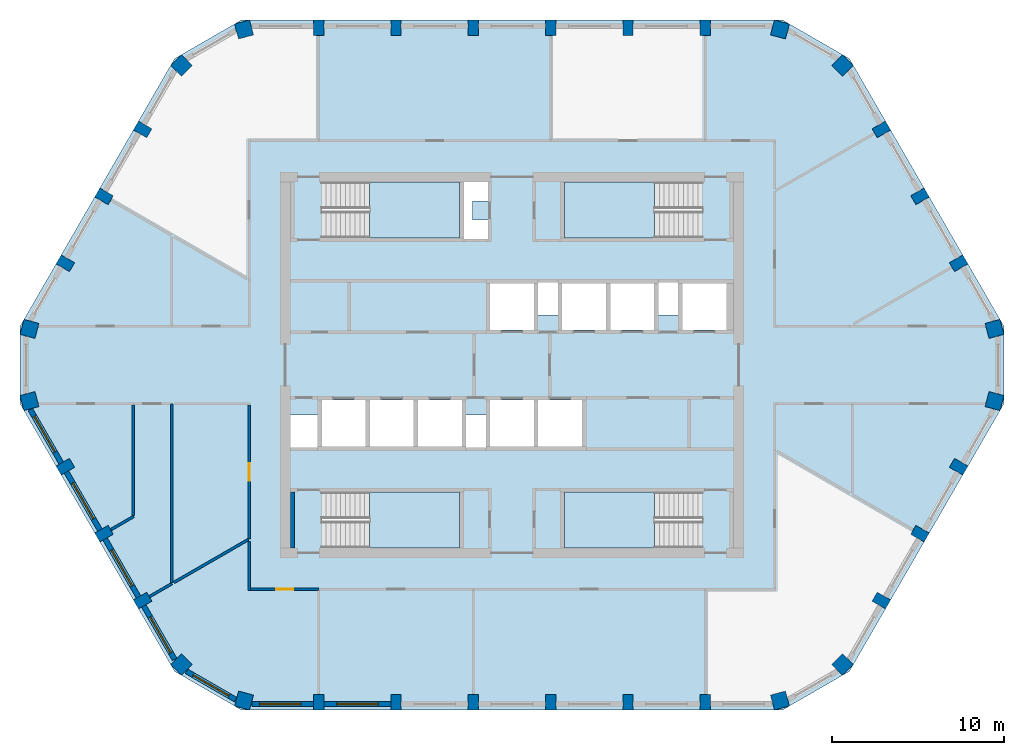
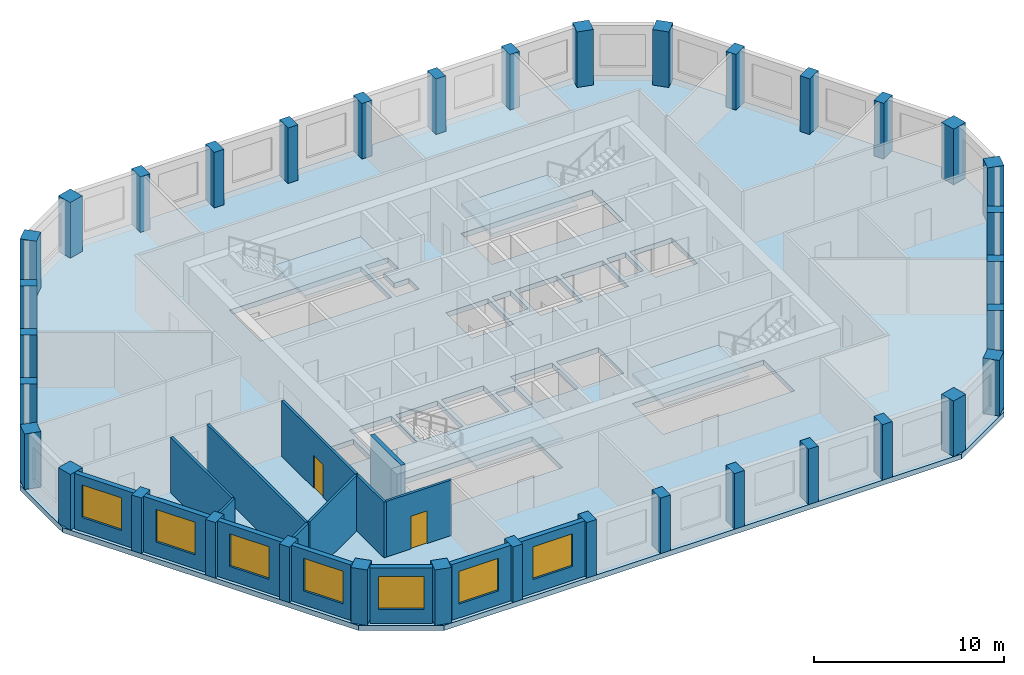
# One storey, part 1 of 10: 36 columns, 16 walls, 7 windows, 5 slabs, 2 doors, 9 openings, 4 elements without a shape of their own.
"""IFC4 building model written with IfcOpenShell, lengths in metres."""

from ifc_helpers import new_model, si_unit, direction, frame, frame_2d, origin, origin_2d, place, context, subcontext, project, spatial, polyline, rectangle, outline, extrude, material, layer, layer_set, material_profile, profile_set, type_object, element, fill, aggregate, save


model = new_model("IFC4")

# Units and contexts
model_context = context("Model", 3, precision=1e-05, world=origin(), true_north=direction((0.0, 1.0)))
body_context = subcontext(model_context, "Body", "Model", "MODEL_VIEW")
ifc_project = project(units=[si_unit("LENGTHUNIT", "METRE"), si_unit("AREAUNIT", "SQUARE_METRE"), si_unit("VOLUMEUNIT", "CUBIC_METRE"), si_unit("PLANEANGLEUNIT", "RADIAN"), si_unit("MASSUNIT", "GRAM", prefix="KILO")], contexts=[model_context])

# Site, building, storey
site_placement = place(None, origin())
site = spatial("IfcSite", under=ifc_project, at=site_placement, CompositionType="ELEMENT")
building_placement = place(site_placement, origin())
building = spatial("IfcBuilding", under=site, at=building_placement, Name="Dhurran Vertical Campus", CompositionType="ELEMENT")
storey_placement = place(building_placement, frame((0.0, 0.0, 302.10009765625)))
storey = spatial("IfcBuildingStorey", under=building, at=storey_placement, Name="L75", CompositionType="ELEMENT", Elevation=302.10009765625)

# Columns
ifc_material_1 = material(Name="Concrete C50/60", Category="concrete")
ifc_material_profile_1 = material_profile(ifc_material_1, rectangle(XDim=0.60009765625, YDim=0.89990234375, at=origin_2d()), Name="RC 600x900")
ifc_profile_set_1 = profile_set([ifc_material_profile_1], Name="Concrete C50/60")
column_type_1 = type_object("IfcColumnType", Name="FR COL RC 600x900 C50/60", PredefinedType="COLUMN", material=ifc_profile_set_1)
for number, where, z_axis, x_axis, name in (
    (1, (-11.25, -19.638427734375, 0.0), (0.0, 0.0, 1.0), (1.0, 0.0, 0.0), "Perimeter pier PP6.01"),
    (2, (-6.75, -19.638427734375, 0.0), (0.0, 0.0, 1.0), (1.0, 0.0, 0.0), "Perimeter pier PP6.02"),
    (3, (-2.25, -19.638427734375, 0.0), (0.0, 0.0, 1.0), (1.0, 0.0, 0.0), "Perimeter pier PP6.03"),
    (4, (2.25, -19.638427734375, 0.0), (0.0, 0.0, 1.0), (1.0, 0.0, 0.0), "Perimeter pier PP6.04"),
    (5, (6.75, -19.638427734375, 0.0), (0.0, 0.0, 1.0), (1.0, 0.0, 0.0), "Perimeter pier PP6.05"),
    (6, (11.25, -19.638427734375, 0.0), (0.0, 0.0, 1.0), (1.0, 0.0, 0.0), "Perimeter pier PP6.06"),
    (7, (21.50732421875, -13.71630859375, 0.0), (0.0, 0.0, 1.0), (0.5, 0.866025403784, 0.0), "Perimeter pier PP6.09"),
    (8, (23.75732421875, -9.819091796875, 0.0), (0.0, 0.0, 1.0), (0.5, 0.866025403784, 0.0), "Perimeter pier PP6.10"),
    (9, (26.00732421875, -5.922119140625, 0.0), (0.0, 0.0, 1.0), (0.5, 0.866025403784, 0.0), "Perimeter pier PP6.11"),
    (10, (26.00732421875, 5.922119140625, 0.0), (0.0, 0.0, 1.0), (-0.5, 0.866025403784, 0.0), "Perimeter pier PP6.14"),
    (11, (23.75732421875, 9.819091796875, 0.0), (0.0, 0.0, 1.0), (-0.5, 0.866025403784, 0.0), "Perimeter pier PP6.15"),
    (12, (21.50732421875, 13.71630859375, 0.0), (0.0, 0.0, 1.0), (-0.5, 0.866025403784, 0.0), "Perimeter pier PP6.16"),
    (13, (11.25, 19.638427734375, 0.0), (0.0, 0.0, 1.0), (-1.0, 0.0, 0.0), "Perimeter pier PP6.19"),
    (14, (6.75, 19.638427734375, 0.0), (0.0, 0.0, 1.0), (-1.0, 0.0, 0.0), "Perimeter pier PP6.20"),
    (15, (2.25, 19.638427734375, 0.0), (0.0, 0.0, 1.0), (-1.0, 0.0, 0.0), "Perimeter pier PP6.21"),
    (16, (-2.25, 19.638427734375, 0.0), (0.0, 0.0, 1.0), (-1.0, 0.0, 0.0), "Perimeter pier PP6.22"),
    (17, (-6.75, 19.638427734375, 0.0), (0.0, 0.0, 1.0), (-1.0, 0.0, 0.0), "Perimeter pier PP6.23"),
    (18, (-11.25, 19.638427734375, 0.0), (0.0, 0.0, 1.0), (-1.0, 0.0, 0.0), "Perimeter pier PP6.24"),
    (19, (-21.50732421875, 13.71630859375, 0.0), (0.0, 0.0, 1.0), (-0.5, -0.866025403784, 0.0), "Perimeter pier PP6.27"),
    (20, (-23.75732421875, 9.819091796875, 0.0), (0.0, 0.0, 1.0), (-0.5, -0.866025403784, 0.0), "Perimeter pier PP6.28"),
    (21, (-26.00732421875, 5.922119140625, 0.0), (0.0, 0.0, 1.0), (-0.5, -0.866025403784, 0.0), "Perimeter pier PP6.29"),
    (22, (-26.00732421875, -5.922119140625, 0.0), (0.0, 0.0, 1.0), (0.5, -0.866025403784, 0.0), "Perimeter pier PP6.32"),
    (23, (-23.75732421875, -9.819091796875, 0.0), (0.0, 0.0, 1.0), (0.5, -0.866025403784, 0.0), "Perimeter pier PP6.33"),
    (24, (-21.50732421875, -13.71630859375, 0.0), (0.0, 0.0, 1.0), (0.5, -0.866025403784, 0.0), "Perimeter pier PP6.34"),
):
    element("IfcColumn", number, at=place(storey_placement, frame(where, z_axis=z_axis, x_axis=x_axis)), inside=storey, type_object=column_type_1, Name=name, PredefinedType="COLUMN", context=body_context, shape_type="SweptSolid", body=[
        extrude(rectangle(XDim=0.60009765625, YDim=0.89990234375, at=origin_2d()), origin(), (0.0, 0.0, 1.0), 3.574951171875),
    ])
ifc_material_2 = material(Name="Concrete C50/60", Category="concrete")
ifc_material_profile_2 = material_profile(ifc_material_2, rectangle(XDim=0.89990234375, YDim=0.89990234375, at=origin_2d()), Name="RC 900x900")
ifc_profile_set_2 = profile_set([ifc_material_profile_2], Name="Concrete C50/60")
column_type_2 = type_object("IfcColumnType", Name="FR COL RC 900x900 C50/60", PredefinedType="COLUMN", material=ifc_profile_set_2)
for number, where, z_axis, x_axis, name in (
    (25, (-15.602294921875, -19.537353515625, 0.0), (0.0, 0.0, 1.0), (0.965925826289, -0.258819045103, 0.0), "Perimeter pier PP6.00"),
    (26, (15.602294921875, -19.537353515625, 0.0), (0.0, 0.0, 1.0), (0.965925826289, 0.258819045103, 0.0), "Perimeter pier PP6.07"),
    (27, (19.24365234375, -17.43505859375, 0.0), (0.0, 0.0, 1.0), (0.707106781187, 0.707106781187, 0.0), "Perimeter pier PP6.08"),
    (28, (28.095947265625, -2.102294921875, 0.0), (0.0, 0.0, 1.0), (0.258819045103, 0.965925826289, 0.0), "Perimeter pier PP6.12"),
    (29, (28.095947265625, 2.102294921875, 0.0), (0.0, 0.0, 1.0), (-0.258819045103, 0.965925826289, 0.0), "Perimeter pier PP6.13"),
    (30, (19.24365234375, 17.43505859375, 0.0), (0.0, 0.0, 1.0), (-0.707106781187, 0.707106781187, 0.0), "Perimeter pier PP6.17"),
    (31, (15.602294921875, 19.537353515625, 0.0), (0.0, 0.0, 1.0), (-0.965925826289, 0.258819045103, 0.0), "Perimeter pier PP6.18"),
    (32, (-15.602294921875, 19.537353515625, 0.0), (0.0, 0.0, 1.0), (-0.965925826289, -0.258819045103, 0.0), "Perimeter pier PP6.25"),
    (33, (-19.24365234375, 17.43505859375, 0.0), (0.0, 0.0, 1.0), (-0.707106781187, -0.707106781187, 0.0), "Perimeter pier PP6.26"),
    (34, (-28.095947265625, 2.102294921875, 0.0), (0.0, 0.0, 1.0), (-0.258819045103, -0.965925826289, 0.0), "Perimeter pier PP6.30"),
    (35, (-28.095947265625, -2.102294921875, 0.0), (0.0, 0.0, 1.0), (0.258819045103, -0.965925826289, 0.0), "Perimeter pier PP6.31"),
    (36, (-19.24365234375, -17.43505859375, 0.0), (0.0, 0.0, 1.0), (0.707106781187, -0.707106781187, 0.0), "Perimeter pier PP6.35"),
):
    element("IfcColumn", number, at=place(storey_placement, frame(where, z_axis=z_axis, x_axis=x_axis)), inside=storey, type_object=column_type_2, Name=name, PredefinedType="COLUMN", context=body_context, shape_type="SweptSolid", body=[
        extrude(rectangle(XDim=0.89990234375, YDim=0.89990234375, at=origin_2d()), origin(), (0.0, 0.0, 1.0), 3.574951171875),
    ])

# Slab
ifc_material_3 = material(Name="Concrete C40/50", Category="concrete")
ifc_layer_1 = layer(ifc_material_3, 0.324951171875)
ifc_layer_set_1 = layer_set([ifc_layer_1], Name="Concrete C40/50")
slab_type_1 = type_object("IfcSlabType", Name="FR POST-TENSIONED FLAT SLAB 325", PredefinedType="FLOOR", material=ifc_layer_set_1)
slab_1_placement = place(storey_placement, frame((0.0, 0.0, -0.3251953125)))
element("IfcSlab", 37, at=slab_1_placement, inside=storey, type_object=slab_type_1, Name="Floor slab L75", PredefinedType="FLOOR", context=body_context, shape_type="SweptSolid", body=[
    extrude(outline(polyline([(-15.75, -20.08837890625), (15.75, -20.08837890625), (19.647216796875, -17.83837890625), (28.647216796875, -2.25), (28.647216796875, 2.25), (19.647216796875, 17.83837890625), (15.75, 20.08837890625), (-15.75, 20.08837890625), (-19.647216796875, 17.83837890625), (-28.647216796875, 2.25), (-28.647216796875, -2.25), (-19.647216796875, -17.83837890625), (-15.75, -20.08837890625)]), holes=[polyline([(-1.27490234375, 2.050048828125), (1.27490234375, 2.050048828125), (1.27490234375, 4.75), (-1.27490234375, 4.75), (-1.27490234375, 2.050048828125)]), polyline([(9.925048828125, 2.050048828125), (12.47509765625, 2.050048828125), (12.47509765625, 4.75), (9.925048828125, 4.75), (9.925048828125, 2.050048828125)]), polyline([(-1.27490234375, -4.75), (1.27490234375, -4.75), (1.27490234375, -2.050048828125), (-1.27490234375, -2.050048828125), (-1.27490234375, -4.75)]), polyline([(1.52490234375, -4.75), (4.074951171875, -4.75), (4.074951171875, -2.050048828125), (1.52490234375, -2.050048828125), (1.52490234375, -4.75)]), polyline([(2.925048828125, 2.050048828125), (5.47509765625, 2.050048828125), (5.47509765625, 4.75), (2.925048828125, 4.75), (2.925048828125, 2.050048828125)]), polyline([(5.72509765625, 2.050048828125), (8.27490234375, 2.050048828125), (8.27490234375, 4.75), (5.72509765625, 4.75), (5.72509765625, 2.050048828125)]), polyline([(-11.074951171875, -4.75), (-8.52490234375, -4.75), (-8.52490234375, -2.050048828125), (-11.074951171875, -2.050048828125), (-11.074951171875, -4.75)]), polyline([(-8.27490234375, -4.75), (-5.72509765625, -4.75), (-5.72509765625, -2.050048828125), (-8.27490234375, -2.050048828125), (-8.27490234375, -4.75)]), polyline([(-5.47509765625, -4.75), (-2.925048828125, -4.75), (-2.925048828125, -2.050048828125), (-5.47509765625, -2.050048828125), (-5.47509765625, -4.75)]), polyline([(-11.050048828125, 7.39990234375), (-3.050048828125, 7.39990234375), (-3.050048828125, 10.64990234375), (-11.050048828125, 10.64990234375), (-11.050048828125, 7.39990234375)]), polyline([(3.050048828125, 7.39990234375), (11.050048828125, 7.39990234375), (11.050048828125, 10.64990234375), (3.050048828125, 10.64990234375), (3.050048828125, 7.39990234375)]), polyline([(-11.050048828125, -10.64990234375), (-3.050048828125, -10.64990234375), (-3.050048828125, -7.39990234375), (-11.050048828125, -7.39990234375), (-11.050048828125, -10.64990234375)]), polyline([(3.050048828125, -10.64990234375), (11.050048828125, -10.64990234375), (11.050048828125, -7.39990234375), (3.050048828125, -7.39990234375), (3.050048828125, -10.64990234375)]), polyline([(-2.800048828125, 10.64990234375), (-1.39990234375, 10.64990234375), (-1.39990234375, 9.550048828125), (-2.300048828125, 9.550048828125), (-2.300048828125, 8.449951171875), (-1.39990234375, 8.449951171875), (-1.39990234375, 7.35009765625), (-2.800048828125, 7.35009765625), (-2.800048828125, 10.64990234375)]), polyline([(2.675048828125, 2.89990234375), (1.52490234375, 2.89990234375), (1.52490234375, 4.800048828125), (2.675048828125, 4.800048828125), (2.675048828125, 2.89990234375)]), polyline([(-12.89990234375, -2.89990234375), (-11.324951171875, -2.89990234375), (-11.324951171875, -4.800048828125), (-12.89990234375, -4.800048828125), (-12.89990234375, -2.89990234375)]), polyline([(-2.675048828125, -2.89990234375), (-1.52490234375, -2.89990234375), (-1.52490234375, -4.800048828125), (-2.675048828125, -4.800048828125), (-2.675048828125, -2.89990234375)]), polyline([(9.675048828125, 2.89990234375), (8.52490234375, 2.89990234375), (8.52490234375, 4.800048828125), (9.675048828125, 4.800048828125), (9.675048828125, 2.89990234375)])]), origin(), (0.0, 0.0, 1.0), 0.3251953125),
])

# Stair, slab
ifc_material_4 = material(Name="Concrete C40/50", Category="concrete")
stair_type = type_object("IfcStairType", Name="co-ST-CORE", PredefinedType="HALF_TURN_STAIR", material=ifc_material_4)
stair_1_placement = place(storey_placement, origin())
stair_1 = element("IfcStair", 38, at=stair_1_placement, inside=storey, type_object=stair_type, Name="L75 Protected exit stair ST1", PredefinedType="HALF_TURN_STAIR")
ifc_material_5 = material(Name="Concrete C40/50", Category="concrete")
ifc_layer_2 = layer(ifc_material_5, 0.199951171875)
ifc_layer_set_2 = layer_set([ifc_layer_2], Name="Concrete C40/50")
slab_type_2 = type_object("IfcSlabType", Name="co-SL-LANDING", PredefinedType="LANDING", material=ifc_layer_set_2)
slab_2_placement = place(storey_placement, frame((0.0, 0.0, 1.75)))
slab_2 = element("IfcSlab", 39, at=slab_2_placement, type_object=slab_type_2, Name="ST1 landing 1", PredefinedType="LANDING", context=body_context, shape_type="SweptSolid", body=[
    extrude(outline(polyline([(-8.300048828125, 7.39990234375), (-3.050048828125, 7.39990234375), (-3.050048828125, 10.64990234375), (-8.300048828125, 10.64990234375), (-8.300048828125, 7.39990234375)])), origin(), (0.0, 0.0, 1.0), 0.199951171875),
])
aggregate(stair_1, [slab_2])

stair_2_placement = place(storey_placement, origin())
stair_2 = element("IfcStair", 40, at=stair_2_placement, inside=storey, type_object=stair_type, Name="L75 Protected exit stair ST2", PredefinedType="HALF_TURN_STAIR")
slab_3_placement = place(storey_placement, frame((0.0, 0.0, 1.75)))
slab_3 = element("IfcSlab", 41, at=slab_3_placement, type_object=slab_type_2, Name="ST2 landing 1", PredefinedType="LANDING", context=body_context, shape_type="SweptSolid", body=[
    extrude(outline(polyline([(8.300048828125, 10.64990234375), (3.050048828125, 10.64990234375), (3.050048828125, 7.39990234375), (8.300048828125, 7.39990234375), (8.300048828125, 10.64990234375)])), origin(), (0.0, 0.0, 1.0), 0.199951171875),
])
aggregate(stair_2, [slab_3])

stair_3_placement = place(storey_placement, origin())
stair_3 = element("IfcStair", 42, at=stair_3_placement, inside=storey, type_object=stair_type, Name="L75 Protected exit stair ST3", PredefinedType="HALF_TURN_STAIR")
slab_4_placement = place(storey_placement, frame((0.0, 0.0, 1.75)))
slab_4 = element("IfcSlab", 43, at=slab_4_placement, type_object=slab_type_2, Name="ST3 landing 1", PredefinedType="LANDING", context=body_context, shape_type="SweptSolid", body=[
    extrude(outline(polyline([(-8.300048828125, -10.64990234375), (-3.050048828125, -10.64990234375), (-3.050048828125, -7.39990234375), (-8.300048828125, -7.39990234375), (-8.300048828125, -10.64990234375)])), origin(), (0.0, 0.0, 1.0), 0.199951171875),
])
aggregate(stair_3, [slab_4])

stair_4_placement = place(storey_placement, origin())
stair_4 = element("IfcStair", 44, at=stair_4_placement, inside=storey, type_object=stair_type, Name="L75 Protected exit stair ST4", PredefinedType="HALF_TURN_STAIR")
slab_5_placement = place(storey_placement, frame((0.0, 0.0, 1.75)))
slab_5 = element("IfcSlab", 45, at=slab_5_placement, type_object=slab_type_2, Name="ST4 landing 1", PredefinedType="LANDING", context=body_context, shape_type="SweptSolid", body=[
    extrude(outline(polyline([(8.300048828125, -7.39990234375), (3.050048828125, -7.39990234375), (3.050048828125, -10.64990234375), (8.300048828125, -10.64990234375), (8.300048828125, -7.39990234375)])), origin(), (0.0, 0.0, 1.0), 0.199951171875),
])
aggregate(stair_4, [slab_5])

# Wall, opening, window
ifc_material_6 = material(Name="Precast concrete C50/60", Category="concrete")
ifc_layer_3 = layer(ifc_material_6, 0.300048828125)
ifc_layer_set_3 = layer_set([ifc_layer_3], Name="Precast concrete C50/60")
wall_type_1 = type_object("IfcWallType", Name="Precast spandrel wall 300", PredefinedType="SOLIDWALL", material=ifc_layer_set_3)
wall_1_placement = place(storey_placement, frame((-15.14990234375, -19.738525390625, 0.0), z_axis=(0.0, 0.0, 1.0), x_axis=(1.0, 0.0, 0.0)))
wall_1 = element("IfcWall", 46, at=wall_1_placement, inside=storey, type_object=wall_type_1, Name="EW1 L75.00", PredefinedType="SOLIDWALL", context=body_context, shape_type="SweptSolid", body=[
    extrude(rectangle(XDim=3.599365234375, YDim=0.300048828125, at=frame_2d((1.7998046875, 0.0))), origin(), (0.0, 0.0, 1.0), 3.574951171875),
])
opening_1_placement = place(wall_1_placement, frame((0.449951171875, 0.0, 0.89990234375)))
opening_1 = element("IfcOpeningElement", 47, at=opening_1_placement, cuts=wall_1, Name="Opening WT1", PredefinedType="OPENING", context=body_context, shape_type="SweptSolid", body=[
    extrude(rectangle(XDim=2.39990234375, YDim=2.10009765625, at=frame_2d((1.199951171875, 1.050048828125))), frame((0.0, 0.159912109375, 0.0), z_axis=(0.0, -1.0, 0.0), x_axis=(1.0, 0.0, 0.0)), (0.0, 0.0, 1.0), 0.320068359375),
])
ifc_material_7 = material(Name="Aluminium frame with solar-control glass", Category="aluminium")
window_type = type_object("IfcWindowType", Name="Punched window 2400 x 2100", PartitioningType="SINGLE_PANEL", PredefinedType="WINDOW", material=ifc_material_7)
window_1_placement = place(opening_1_placement, origin())
window_1 = element("IfcWindow", 48, at=window_1_placement, inside=storey, type_object=window_type, Name="WT1 L75.00", OverallHeight=2.10009765625, OverallWidth=2.39990234375, PartitioningType="SINGLE_PANEL", PredefinedType="WINDOW", context=body_context, shape_type="SweptSolid", body=[
    extrude(rectangle(XDim=2.39990234375, YDim=2.10009765625, at=frame_2d((1.199951171875, 1.050048828125))), frame((0.0, 0.030029296875, 0.0), z_axis=(0.0, -1.0, 0.0), x_axis=(1.0, 0.0, 0.0)), (0.0, 0.0, 1.0), 0.06005859375),
])
fill(opening_1, window_1)

wall_2_placement = place(storey_placement, frame((-10.949462890625, -19.738525390625, 0.0), z_axis=(0.0, 0.0, 1.0), x_axis=(1.0, 0.0, 0.0)))
wall_2 = element("IfcWall", 49, at=wall_2_placement, inside=storey, type_object=wall_type_1, Name="EW1 L75.01", PredefinedType="SOLIDWALL", context=body_context, shape_type="SweptSolid", body=[
    extrude(rectangle(XDim=3.89892578125, YDim=0.300048828125, at=frame_2d((1.949462890625, 0.0))), origin(), (0.0, 0.0, 1.0), 3.574951171875),
])
opening_2_placement = place(wall_2_placement, frame((0.74951171875, 0.0, 0.89990234375)))
opening_2 = element("IfcOpeningElement", 50, at=opening_2_placement, cuts=wall_2, Name="Opening WT1", PredefinedType="OPENING", context=body_context, shape_type="SweptSolid", body=[
    extrude(rectangle(XDim=2.39990234375, YDim=2.10009765625, at=frame_2d((1.199951171875, 1.050048828125))), frame((0.0, 0.159912109375, 0.0), z_axis=(0.0, -1.0, 0.0), x_axis=(1.0, 0.0, 0.0)), (0.0, 0.0, 1.0), 0.320068359375),
])
window_2_placement = place(opening_2_placement, origin())
window_2 = element("IfcWindow", 51, at=window_2_placement, inside=storey, type_object=window_type, Name="WT1 L75.01", OverallHeight=2.10009765625, OverallWidth=2.39990234375, PartitioningType="SINGLE_PANEL", PredefinedType="WINDOW", context=body_context, shape_type="SweptSolid", body=[
    extrude(rectangle(XDim=2.39990234375, YDim=2.10009765625, at=frame_2d((1.199951171875, 1.050048828125))), frame((0.0, 0.030029296875, 0.0), z_axis=(0.0, -1.0, 0.0), x_axis=(1.0, 0.0, 0.0)), (0.0, 0.0, 1.0), 0.06005859375),
])
fill(opening_2, window_2)

wall_3_placement = place(storey_placement, frame((-28.0439453125, -2.5947265625, 0.0), z_axis=(0.0, 0.0, 1.0), x_axis=(0.499969057507, -0.866043267704, 0.0)))
wall_3 = element("IfcWall", 52, at=wall_3_placement, inside=storey, type_object=wall_type_1, Name="EW1 L75.31", PredefinedType="SOLIDWALL", context=body_context, shape_type="SweptSolid", body=[
    extrude(rectangle(XDim=3.599365234375, YDim=0.300048828125, at=frame_2d((1.7998046875, 0.0))), origin(), (0.0, 0.0, 1.0), 3.574951171875),
])
opening_3_placement = place(wall_3_placement, frame((0.449951171875, 0.0, 0.89990234375)))
opening_3 = element("IfcOpeningElement", 53, at=opening_3_placement, cuts=wall_3, Name="Opening WT1", PredefinedType="OPENING", context=body_context, shape_type="SweptSolid", body=[
    extrude(rectangle(XDim=2.39990234375, YDim=2.10009765625, at=frame_2d((1.199951171875, 1.050048828125))), frame((0.0, 0.159912109375, 0.0), z_axis=(0.0, -1.0, 0.0), x_axis=(1.0, 0.0, 0.0)), (0.0, 0.0, 1.0), 0.320068359375),
])
window_3_placement = place(opening_3_placement, origin())
window_3 = element("IfcWindow", 54, at=window_3_placement, inside=storey, type_object=window_type, Name="WT1 L75.31", OverallHeight=2.10009765625, OverallWidth=2.39990234375, PartitioningType="SINGLE_PANEL", PredefinedType="WINDOW", context=body_context, shape_type="SweptSolid", body=[
    extrude(rectangle(XDim=2.39990234375, YDim=2.10009765625, at=frame_2d((1.199951171875, 1.050048828125))), frame((0.0, 0.030029296875, 0.0), z_axis=(0.0, -1.0, 0.0), x_axis=(1.0, 0.0, 0.0)), (0.0, 0.0, 1.0), 0.06005859375),
])
fill(opening_3, window_3)

wall_4_placement = place(storey_placement, frame((-25.94384765625, -6.232421875, 0.0), z_axis=(0.0, 0.0, 1.0), x_axis=(0.500011542666, -0.866018739521, 0.0)))
wall_4 = element("IfcWall", 55, at=wall_4_placement, inside=storey, type_object=wall_type_1, Name="EW1 L75.32", PredefinedType="SOLIDWALL", context=body_context, shape_type="SweptSolid", body=[
    extrude(rectangle(XDim=3.89892578125, YDim=0.300048828125, at=frame_2d((1.949462890625, 0.0))), origin(), (0.0, 0.0, 1.0), 3.574951171875),
])
opening_4_placement = place(wall_4_placement, frame((0.74951171875, 0.0, 0.89990234375)))
opening_4 = element("IfcOpeningElement", 56, at=opening_4_placement, cuts=wall_4, Name="Opening WT1", PredefinedType="OPENING", context=body_context, shape_type="SweptSolid", body=[
    extrude(rectangle(XDim=2.39990234375, YDim=2.10009765625, at=frame_2d((1.199951171875, 1.050048828125))), frame((0.0, 0.159912109375, 0.0), z_axis=(0.0, -1.0, 0.0), x_axis=(1.0, 0.0, 0.0)), (0.0, 0.0, 1.0), 0.320068359375),
])
window_4_placement = place(opening_4_placement, origin())
window_4 = element("IfcWindow", 57, at=window_4_placement, inside=storey, type_object=window_type, Name="WT1 L75.32", OverallHeight=2.10009765625, OverallWidth=2.39990234375, PartitioningType="SINGLE_PANEL", PredefinedType="WINDOW", context=body_context, shape_type="SweptSolid", body=[
    extrude(rectangle(XDim=2.39990234375, YDim=2.10009765625, at=frame_2d((1.199951171875, 1.050048828125))), frame((0.0, 0.030029296875, 0.0), z_axis=(0.0, -1.0, 0.0), x_axis=(1.0, 0.0, 0.0)), (0.0, 0.0, 1.0), 0.06005859375),
])
fill(opening_4, window_4)

wall_5_placement = place(storey_placement, frame((-23.69384765625, -10.12939453125, 0.0), z_axis=(0.0, 0.0, 1.0), x_axis=(0.499984428715, -0.866034393683, 0.0)))
wall_5 = element("IfcWall", 58, at=wall_5_placement, inside=storey, type_object=wall_type_1, Name="EW1 L75.33", PredefinedType="SOLIDWALL", context=body_context, shape_type="SweptSolid", body=[
    extrude(rectangle(XDim=3.89892578125, YDim=0.300048828125, at=frame_2d((1.949462890625, 0.0))), origin(), (0.0, 0.0, 1.0), 3.574951171875),
])
opening_5_placement = place(wall_5_placement, frame((0.74951171875, 0.0, 0.89990234375)))
opening_5 = element("IfcOpeningElement", 59, at=opening_5_placement, cuts=wall_5, Name="Opening WT1", PredefinedType="OPENING", context=body_context, shape_type="SweptSolid", body=[
    extrude(rectangle(XDim=2.39990234375, YDim=2.10009765625, at=frame_2d((1.199951171875, 1.050048828125))), frame((0.0, 0.159912109375, 0.0), z_axis=(0.0, -1.0, 0.0), x_axis=(1.0, 0.0, 0.0)), (0.0, 0.0, 1.0), 0.320068359375),
])
window_5_placement = place(opening_5_placement, origin())
window_5 = element("IfcWindow", 60, at=window_5_placement, inside=storey, type_object=window_type, Name="WT1 L75.33", OverallHeight=2.10009765625, OverallWidth=2.39990234375, PartitioningType="SINGLE_PANEL", PredefinedType="WINDOW", context=body_context, shape_type="SweptSolid", body=[
    extrude(rectangle(XDim=2.39990234375, YDim=2.10009765625, at=frame_2d((1.199951171875, 1.050048828125))), frame((0.0, 0.030029296875, 0.0), z_axis=(0.0, -1.0, 0.0), x_axis=(1.0, 0.0, 0.0)), (0.0, 0.0, 1.0), 0.06005859375),
])
fill(opening_5, window_5)

wall_6_placement = place(storey_placement, frame((-21.44384765625, -14.026611328125, 0.0), z_axis=(0.0, 0.0, 1.0), x_axis=(0.50001992892, -0.866013897511, 0.0)))
wall_6 = element("IfcWall", 61, at=wall_6_placement, inside=storey, type_object=wall_type_1, Name="EW1 L75.34", PredefinedType="SOLIDWALL", context=body_context, shape_type="SweptSolid", body=[
    extrude(rectangle(XDim=3.599365234375, YDim=0.300048828125, at=frame_2d((1.7998046875, 0.0))), origin(), (0.0, 0.0, 1.0), 3.574951171875),
])
opening_6_placement = place(wall_6_placement, frame((0.74951171875, 0.0, 0.89990234375)))
opening_6 = element("IfcOpeningElement", 62, at=opening_6_placement, cuts=wall_6, Name="Opening WT1", PredefinedType="OPENING", context=body_context, shape_type="SweptSolid", body=[
    extrude(rectangle(XDim=2.39990234375, YDim=2.10009765625, at=frame_2d((1.199951171875, 1.050048828125))), frame((0.0, 0.159912109375, 0.0), z_axis=(0.0, -1.0, 0.0), x_axis=(1.0, 0.0, 0.0)), (0.0, 0.0, 1.0), 0.320068359375),
])
window_6_placement = place(opening_6_placement, origin())
window_6 = element("IfcWindow", 63, at=window_6_placement, inside=storey, type_object=window_type, Name="WT1 L75.34", OverallHeight=2.10009765625, OverallWidth=2.39990234375, PartitioningType="SINGLE_PANEL", PredefinedType="WINDOW", context=body_context, shape_type="SweptSolid", body=[
    extrude(rectangle(XDim=2.39990234375, YDim=2.10009765625, at=frame_2d((1.199951171875, 1.050048828125))), frame((0.0, 0.030029296875, 0.0), z_axis=(0.0, -1.0, 0.0), x_axis=(1.0, 0.0, 0.0)), (0.0, 0.0, 1.0), 0.06005859375),
])
fill(opening_6, window_6)

wall_7_placement = place(storey_placement, frame((-18.952392578125, -17.83544921875, 0.0), z_axis=(0.0, 0.0, 1.0), x_axis=(0.866021716278, -0.500006386895, 0.0)))
wall_7 = element("IfcWall", 64, at=wall_7_placement, inside=storey, type_object=wall_type_1, Name="EW1 L75.35", PredefinedType="SOLIDWALL", context=body_context, shape_type="SweptSolid", body=[
    extrude(rectangle(XDim=3.2998046875, YDim=0.300048828125, at=frame_2d((1.64990234375, 0.0))), origin(), (0.0, 0.0, 1.0), 3.574951171875),
])
opening_7_placement = place(wall_7_placement, frame((0.449951171875, 0.0, 0.89990234375)))
opening_7 = element("IfcOpeningElement", 65, at=opening_7_placement, cuts=wall_7, Name="Opening WT1", PredefinedType="OPENING", context=body_context, shape_type="SweptSolid", body=[
    extrude(rectangle(XDim=2.39990234375, YDim=2.10009765625, at=frame_2d((1.199951171875, 1.050048828125))), frame((0.0, 0.159912109375, 0.0), z_axis=(0.0, -1.0, 0.0), x_axis=(1.0, 0.0, 0.0)), (0.0, 0.0, 1.0), 0.320068359375),
])
window_7_placement = place(opening_7_placement, origin())
window_7 = element("IfcWindow", 66, at=window_7_placement, inside=storey, type_object=window_type, Name="WT1 L75.35", OverallHeight=2.10009765625, OverallWidth=2.39990234375, PartitioningType="SINGLE_PANEL", PredefinedType="WINDOW", context=body_context, shape_type="SweptSolid", body=[
    extrude(rectangle(XDim=2.39990234375, YDim=2.10009765625, at=frame_2d((1.199951171875, 1.050048828125))), frame((0.0, 0.030029296875, 0.0), z_axis=(0.0, -1.0, 0.0), x_axis=(1.0, 0.0, 0.0)), (0.0, 0.0, 1.0), 0.06005859375),
])
fill(opening_7, window_7)

# Walls
ifc_material_8 = material(Name="Concrete C40/50", Category="concrete")
ifc_layer_4 = layer(ifc_material_8, 0.25)
ifc_layer_set_4 = layer_set([ifc_layer_4], Name="Concrete C40/50")
wall_type_2 = type_object("IfcWallType", Name="co-STAIR-WALL-250", PredefinedType="SHEAR", material=ifc_layer_set_4)
wall_8_placement = place(storey_placement, frame((-12.77490234375, -10.64990234375, 0.0), z_axis=(0.0, 0.0, 1.0), x_axis=(0.0, 1.0, 0.0)))
element("IfcWall", 67, at=wall_8_placement, inside=storey, type_object=wall_type_2, Name="Stair ST3 enclosure wall L75", PredefinedType="SHEAR", context=body_context, shape_type="SweptSolid", body=[
    extrude(rectangle(XDim=3.25, YDim=0.25, at=frame_2d((1.625, 0.0))), origin(), (0.0, 0.0, 1.0), 3.574951171875),
])
ifc_material_9 = material(Name="Gypsum board corridor wall on steel studs", Category="steel")
ifc_layer_5 = layer(ifc_material_9, 0.14990234375)
ifc_layer_set_5 = layer_set([ifc_layer_5], Name="Gypsum board corridor wall on steel studs")
wall_type_3 = type_object("IfcWallType", Name="fl-CW-150 corridor wall", PredefinedType="PARTITIONING", material=ifc_layer_set_5)
wall_9_placement = place(storey_placement, frame((-15.300048828125, -10.261962890625, 0.0), z_axis=(0.0, 0.0, 1.0), x_axis=(0.0, -1.0, 0.0)))
element("IfcWall", 68, at=wall_9_placement, inside=storey, type_object=wall_type_3, Name="Partition 75-14", PredefinedType="PARTITIONING", context=body_context, shape_type="SweptSolid", body=[
    extrude(rectangle(XDim=2.863037109375, YDim=0.14990234375, at=frame_2d((1.431640625, 0.0))), origin(), (0.0, 0.0, 1.0), 3.574951171875),
])

# Wall, opening, door
wall_10_placement = place(storey_placement, frame((-15.22509765625, -13.050048828125, 0.0), z_axis=(0.0, 0.0, 1.0), x_axis=(1.0, 0.0, 0.0)))
wall_10 = element("IfcWall", 69, at=wall_10_placement, inside=storey, type_object=wall_type_3, Name="Partition 75-15", PredefinedType="PARTITIONING", context=body_context, shape_type="SweptSolid", body=[
    extrude(rectangle(XDim=3.97509765625, YDim=0.14990234375, at=frame_2d((1.987548828125, 0.0))), origin(), (0.0, 0.0, 1.0), 3.574951171875),
])
opening_8_placement = place(wall_10_placement, frame((1.487548828125, 0.0, 0.0)))
opening_8 = element("IfcOpeningElement", 70, at=opening_8_placement, cuts=wall_10, Name="Opening T22.07", PredefinedType="OPENING", context=body_context, shape_type="SweptSolid", body=[
    extrude(rectangle(XDim=1.0, YDim=2.10009765625, at=frame_2d((0.5, 1.050048828125))), frame((0.0, 0.0849609375, 0.0), z_axis=(0.0, -1.0, 0.0), x_axis=(1.0, 0.0, 0.0)), (0.0, 0.0, 1.0), 0.169921875),
])
ifc_material_10 = material(Name="Solid-core timber door set, fire-rated", Category="wood")
door_type = type_object("IfcDoorType", Name="fl-D-1000x2100", OperationType="SINGLE_SWING_LEFT", PredefinedType="DOOR", material=ifc_material_10)
door_1_placement = place(opening_8_placement, origin())
door_1 = element("IfcDoor", 71, at=door_1_placement, inside=storey, type_object=door_type, Name="Door 75.07", OperationType="SINGLE_SWING_RIGHT", OverallHeight=2.10009765625, OverallWidth=1.0, PredefinedType="DOOR", context=body_context, shape_type="SweptSolid", body=[
    extrude(rectangle(XDim=1.0, YDim=2.10009765625, at=frame_2d((0.5, 1.050048828125))), frame((0.0, 0.02490234375, 0.0), z_axis=(0.0, -1.0, 0.0), x_axis=(1.0, 0.0, 0.0)), (0.0, 0.0, 1.0), 0.050048828125),
])
fill(opening_8, door_1)

wall_11_placement = place(storey_placement, frame((-15.300048828125, -2.324951171875, 0.0), z_axis=(0.0, 0.0, 1.0), x_axis=(0.0, -1.0, 0.0)))
wall_11 = element("IfcWall", 72, at=wall_11_placement, inside=storey, type_object=wall_type_3, Name="Partition 75-16", PredefinedType="PARTITIONING", context=body_context, shape_type="SweptSolid", body=[
    extrude(rectangle(XDim=7.80712890625, YDim=0.14990234375, at=frame_2d((3.903564453125, 0.0))), origin(), (0.0, 0.0, 1.0), 3.574951171875),
])
opening_9_placement = place(wall_11_placement, frame((3.403564453125, 0.0, 0.0)))
opening_9 = element("IfcOpeningElement", 73, at=opening_9_placement, cuts=wall_11, Name="Opening T22.05", PredefinedType="OPENING", context=body_context, shape_type="SweptSolid", body=[
    extrude(rectangle(XDim=1.0, YDim=2.10009765625, at=frame_2d((0.5, 1.050048828125))), frame((0.0, 0.0849609375, 0.0), z_axis=(0.0, -1.0, 0.0), x_axis=(1.0, 0.0, 0.0)), (0.0, 0.0, 1.0), 0.169921875),
])
door_2_placement = place(opening_9_placement, origin())
door_2 = element("IfcDoor", 74, at=door_2_placement, inside=storey, type_object=door_type, Name="Door 75.05", OperationType="SINGLE_SWING_RIGHT", OverallHeight=2.10009765625, OverallWidth=1.0, PredefinedType="DOOR", context=body_context, shape_type="SweptSolid", body=[
    extrude(rectangle(XDim=1.0, YDim=2.10009765625, at=frame_2d((0.5, 1.050048828125))), frame((0.0, 0.02490234375, 0.0), z_axis=(0.0, -1.0, 0.0), x_axis=(1.0, 0.0, 0.0)), (0.0, 0.0, 1.0), 0.050048828125),
])
fill(opening_9, door_2)

# Walls
ifc_material_11 = material(Name="Gypsum board partition on steel studs", Category="steel")
ifc_layer_6 = layer(ifc_material_11, 0.14990234375)
ifc_layer_set_6 = layer_set([ifc_layer_6], Name="Gypsum board partition on steel studs")
wall_type_4 = type_object("IfcWallType", Name="fl-PW-150 fixed partition", PredefinedType="PARTITIONING", material=ifc_layer_set_6)
wall_12_placement = place(storey_placement, frame((-22.0283203125, -8.820556640625, 0.0), z_axis=(0.0, 0.0, 1.0), x_axis=(-0.86598050703, -0.500077755398, 0.0)))
element("IfcWall", 75, at=wall_12_placement, inside=storey, type_object=wall_type_4, Name="Partition 75-03", PredefinedType="PARTITIONING", context=body_context, shape_type="SweptSolid", body=[
    extrude(rectangle(XDim=1.526611328125, YDim=0.14990234375, at=frame_2d((0.76318359375, 0.0))), origin(), (0.0, 0.0, 1.0), 3.574951171875),
])
wall_13_placement = place(storey_placement, frame((-22.050048828125, -2.324951171875, 0.0), z_axis=(0.0, 0.0, 1.0), x_axis=(0.0, -1.0, 0.0)))
element("IfcWall", 76, at=wall_13_placement, inside=storey, type_object=wall_type_4, Name="Partition 75-05", PredefinedType="PARTITIONING", context=body_context, shape_type="SweptSolid", body=[
    extrude(rectangle(XDim=6.43310546875, YDim=0.14990234375, at=frame_2d((3.216552734375, 0.0))), origin(), (0.0, 0.0, 1.0), 3.574951171875),
])
wall_14_placement = place(storey_placement, frame((-19.800048828125, -12.72998046875, 0.0), z_axis=(0.0, 0.0, 1.0), x_axis=(-0.865922963245, -0.500177390258, 0.0)))
element("IfcWall", 77, at=wall_14_placement, inside=storey, type_object=wall_type_4, Name="Partition 75-07", PredefinedType="PARTITIONING", context=body_context, shape_type="SweptSolid", body=[
    extrude(rectangle(XDim=1.501953125, YDim=0.14990234375, at=frame_2d((0.7509765625, 0.0))), origin(), (0.0, 0.0, 1.0), 3.574951171875),
])
wall_15_placement = place(storey_placement, frame((-19.800048828125, -2.262939453125, 0.0), z_axis=(0.0, 0.0, 1.0), x_axis=(0.0, -1.0, 0.0)))
element("IfcWall", 78, at=wall_15_placement, inside=storey, type_object=wall_type_4, Name="Partition 75-08", PredefinedType="PARTITIONING", context=body_context, shape_type="SweptSolid", body=[
    extrude(rectangle(XDim=10.39208984375, YDim=0.14990234375, at=frame_2d((5.196044921875, 0.0))), origin(), (0.0, 0.0, 1.0), 3.574951171875),
])
wall_16_placement = place(storey_placement, frame((-15.364990234375, -10.16943359375, 0.0), z_axis=(0.0, 0.0, 1.0), x_axis=(-0.866025118187, -0.500000494669, 0.0)))
element("IfcWall", 79, at=wall_16_placement, inside=storey, type_object=wall_type_4, Name="Partition 75-09", PredefinedType="PARTITIONING", context=body_context, shape_type="SweptSolid", body=[
    extrude(rectangle(XDim=4.9912109375, YDim=0.14990234375, at=frame_2d((2.49560546875, 0.0))), origin(), (0.0, 0.0, 1.0), 3.574951171875),
])

save(model, "model.ifc")
